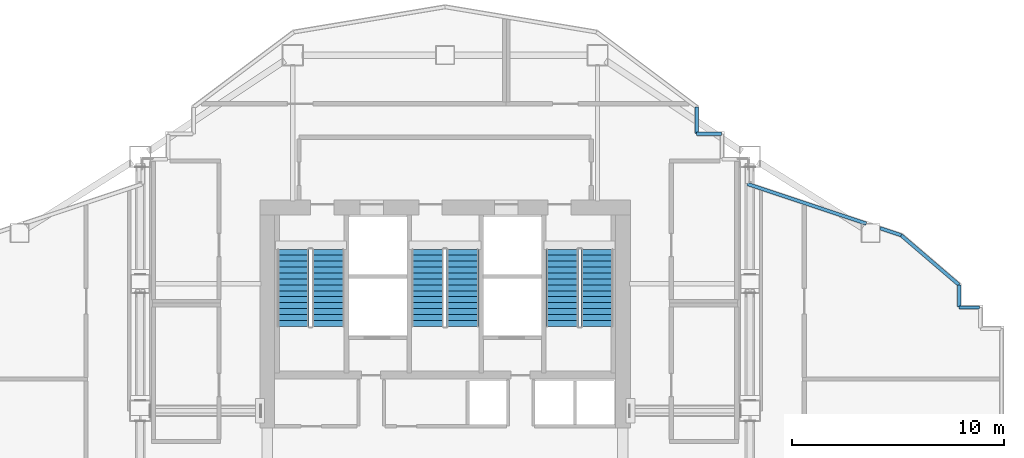
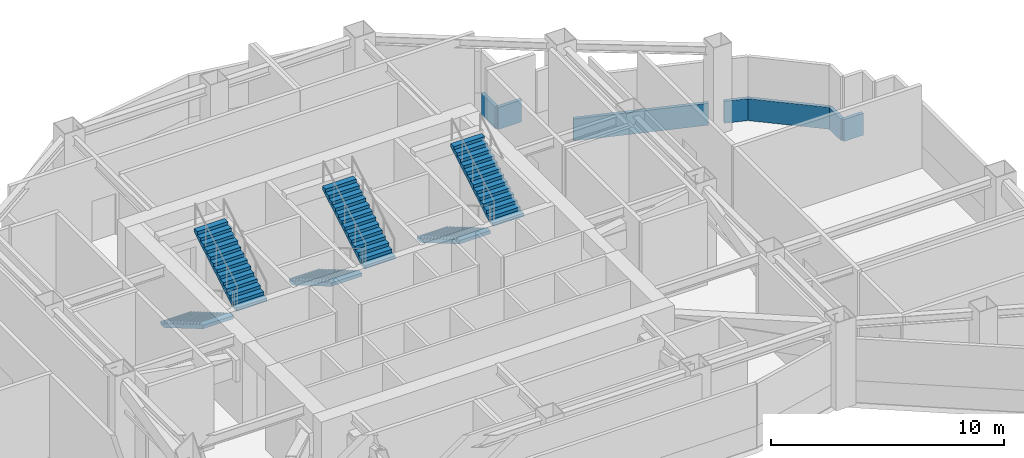
# One storey, part 17 of 24: 7 walls, 6 stair flights, 3 elements without a shape of their own.
"""IFC4 building model written with IfcOpenShell, lengths in metres."""

from ifc_helpers import new_model, si_unit, direction, frame, frame_2d, origin, place, context, subcontext, project, spatial, polyline, rectangle, outline, extrude, material, layer, layer_set, type_object, element, aggregate, save


model = new_model("IFC4")

# Units and contexts
model_context = context("Model", 3, precision=1e-05, world=origin(), true_north=direction((0.0, 1.0)))
body_context = subcontext(model_context, "Body", "Model", "MODEL_VIEW")
ifc_project = project(units=[si_unit("LENGTHUNIT", "METRE"), si_unit("AREAUNIT", "SQUARE_METRE"), si_unit("VOLUMEUNIT", "CUBIC_METRE"), si_unit("PLANEANGLEUNIT", "RADIAN"), si_unit("MASSUNIT", "GRAM", prefix="KILO")], contexts=[model_context])

# Site, building, storey
site_placement = place(None, origin())
site = spatial("IfcSite", under=ifc_project, at=site_placement, CompositionType="ELEMENT")
building_placement = place(site_placement, origin())
building = spatial("IfcBuilding", under=site, at=building_placement, Name="Haolan Belvedere Tower", CompositionType="ELEMENT")
storey_placement = place(building_placement, frame((0.0, 0.0, 160.0)))
storey = spatial("IfcBuildingStorey", under=building, at=storey_placement, Name="L40", CompositionType="ELEMENT", Elevation=160.0)

# Walls
ifc_material_1 = material(Name="Precast concrete C40/50", Category="concrete")
ifc_layer = layer(ifc_material_1, 0.159912109375, Name="Precast concrete C40/50")
ifc_layer_set = layer_set([ifc_layer], Name="Precast concrete C40/50")
wall_type = type_object("IfcWallType", Name="WL-PAR-160", PredefinedType="PARAPET", material=ifc_layer_set)
wall_1_placement = place(storey_placement, frame((63.64990234375, 38.47998046875, 0.0), z_axis=(0.0, 0.0, 1.0), x_axis=(-1.0, 0.0, 0.0)))
element("IfcWall", 1, at=wall_1_placement, inside=storey, type_object=wall_type, Name="L40 refuge open-band parapet 17.1", PredefinedType="PARAPET", context=body_context, shape_type="SweptSolid", body=[
    extrude(rectangle(XDim=0.969970703125, YDim=0.159912109375, at=frame_2d((0.48486328125, 0.0))), origin(), (0.0, 0.0, 1.0), 1.14990234375),
])
wall_2_placement = place(storey_placement, frame((62.679931640625, 38.510009765625, 0.0), z_axis=(0.0, 0.0, 1.0), x_axis=(0.0, 1.0, 0.0)))
element("IfcWall", 2, at=wall_2_placement, inside=storey, type_object=wall_type, Name="L40 refuge open-band parapet 18.1", PredefinedType="PARAPET", context=body_context, shape_type="SweptSolid", body=[
    extrude(rectangle(XDim=1.034912109375, YDim=0.159912109375, at=frame_2d((0.517578125, 0.0))), origin(), (0.0, 0.0, 1.0), 1.14990234375),
])
wall_3_placement = place(storey_placement, frame((62.679931640625, 39.544921875, 0.0), z_axis=(0.0, 0.0, 1.0), x_axis=(-0.759275702513, 0.650769089289, 0.0)))
element("IfcWall", 3, at=wall_3_placement, inside=storey, type_object=wall_type, Name="L40 refuge open-band parapet 19.1", PredefinedType="PARAPET", context=body_context, shape_type="SweptSolid", body=[
    extrude(rectangle(XDim=3.609130859375, YDim=0.159912109375, at=frame_2d((1.8046875, 0.0))), origin(), (0.0, 0.0, 1.0), 1.14990234375),
])
wall_4_placement = place(storey_placement, frame((59.939697265625, 41.8935546875, 0.0), z_axis=(0.0, 0.0, 1.0), x_axis=(-0.948636865667, 0.316367029093, 0.0)))
element("IfcWall", 4, at=wall_4_placement, inside=storey, type_object=wall_type, Name="L40 refuge open-band parapet 20.1", PredefinedType="PARAPET", context=body_context, shape_type="SweptSolid", body=[
    extrude(rectangle(XDim=1.0517578125, YDim=0.159912109375, at=frame_2d((0.52587890625, 0.0))), origin(), (0.0, 0.0, 1.0), 1.14990234375),
])
wall_5_placement = place(storey_placement, frame((58.294677734375, 42.44189453125, 0.0), z_axis=(0.0, 0.0, 1.0), x_axis=(-0.948683298051, 0.316227766017, 0.0)))
element("IfcWall", 5, at=wall_5_placement, inside=storey, type_object=wall_type, Name="L40 refuge open-band parapet 20.2", PredefinedType="PARAPET", context=body_context, shape_type="SweptSolid", body=[
    extrude(rectangle(XDim=5.91845703125, YDim=0.159912109375, at=frame_2d((2.959228515625, 0.0))), origin(), (0.0, 0.0, 1.0), 1.14990234375),
])
wall_6_placement = place(storey_placement, frame((51.449951171875, 46.679931640625, 0.0), z_axis=(0.0, 0.0, 1.0), x_axis=(-1.0, 0.0, 0.0)))
element("IfcWall", 6, at=wall_6_placement, inside=storey, type_object=wall_type, Name="L40 refuge open-band parapet 24.1", PredefinedType="PARAPET", context=body_context, shape_type="SweptSolid", body=[
    extrude(rectangle(XDim=1.169921875, YDim=0.159912109375, at=frame_2d((0.5849609375, 0.0))), origin(), (0.0, 0.0, 1.0), 1.14990234375),
])
wall_7_placement = place(storey_placement, frame((50.280029296875, 46.7099609375, 0.0), z_axis=(0.0, 0.0, 1.0), x_axis=(0.0, 1.0, 0.0)))
element("IfcWall", 7, at=wall_7_placement, inside=storey, type_object=wall_type, Name="L40 refuge open-band parapet 25.1", PredefinedType="PARAPET", context=body_context, shape_type="SweptSolid", body=[
    extrude(rectangle(XDim=1.22998046875, YDim=0.159912109375, at=frame_2d((0.614990234375, 0.0))), origin(), (0.0, 0.0, 1.0), 1.14990234375),
])

# Stair, stair flights
ifc_material_2 = material(Name="Concrete C40/50", Category="concrete")
stair_type = type_object("IfcStairType", Name="STR-DL-28R-164", PredefinedType="HALF_TURN_STAIR", material=ifc_material_2)
stair_1_placement = place(storey_placement, origin())
stair_1 = element("IfcStair", 8, at=stair_1_placement, inside=storey, type_object=stair_type, Name="L40 Smokeproof Core Exit Stair ST1", PredefinedType="HALF_TURN_STAIR")
stair_flight_type = type_object("IfcStairFlightType", Name="SFL-DL-14R-164", PredefinedType="STRAIGHT", material=ifc_material_2)
stair_flight_1_placement = place(storey_placement, frame((31.2099609375, 41.22998046875, 0.0), z_axis=(0.0, 0.0, 1.0), x_axis=(0.0, -1.0, 0.0)))
stair_flight_1 = element("IfcStairFlight", 9, at=stair_flight_1_placement, type_object=stair_flight_type, Name="ST1 flight 1", NumberOfRisers=14, NumberOfTreads=13, PredefinedType="STRAIGHT", RiserHeight=0.164285714, TreadLength=0.28, context=body_context, shape_type="SweptSolid", body=[
    extrude(outline(polyline([(0.0, 0.0), (0.0, 0.164306640625), (0.280029296875, 0.164306640625), (0.280029296875, 0.32861328125), (0.56005859375, 0.32861328125), (0.56005859375, 0.492919921875), (0.840087890625, 0.492919921875), (0.840087890625, 0.6572265625), (1.1201171875, 0.6572265625), (1.1201171875, 0.821533203125), (1.39990234375, 0.821533203125), (1.39990234375, 0.985595703125), (1.679931640625, 0.985595703125), (1.679931640625, 1.14990234375), (1.9599609375, 1.14990234375), (1.9599609375, 1.314208984375), (2.239990234375, 1.314208984375), (2.239990234375, 1.478515625), (2.52001953125, 1.478515625), (2.52001953125, 1.642822265625), (2.800048828125, 1.642822265625), (2.800048828125, 1.80712890625), (3.080078125, 1.80712890625), (3.080078125, 1.971435546875), (3.360107421875, 1.971435546875), (3.360107421875, 2.1357421875), (3.639892578125, 2.1357421875), (3.639892578125, 2.300048828125), (3.639892578125, 1.9619140625), (0.296142578125, 0.0), (0.0, 0.0)])), frame((0.0, 0.760009765625, 0.0), z_axis=(0.0, -1.0, 0.0), x_axis=(1.0, 0.0, 0.0)), (0.0, 0.0, 1.0), 1.52001953125),
])
stair_flight_2_placement = place(storey_placement, frame((32.8701171875, 37.590087890625, 2.300048828125), z_axis=(0.0, 0.0, 1.0), x_axis=(0.0, 1.0, 0.0)))
stair_flight_2 = element("IfcStairFlight", 10, at=stair_flight_2_placement, type_object=stair_flight_type, Name="ST1 flight 2", NumberOfRisers=14, NumberOfTreads=13, PredefinedType="STRAIGHT", RiserHeight=0.164285714, TreadLength=0.28, context=body_context, shape_type="SweptSolid", body=[
    extrude(outline(polyline([(0.0, 0.0), (0.0, 0.164306640625), (0.280029296875, 0.164306640625), (0.280029296875, 0.32861328125), (0.56005859375, 0.32861328125), (0.56005859375, 0.492919921875), (0.840087890625, 0.492919921875), (0.840087890625, 0.6572265625), (1.1201171875, 0.6572265625), (1.1201171875, 0.821533203125), (1.39990234375, 0.821533203125), (1.39990234375, 0.985595703125), (1.679931640625, 0.985595703125), (1.679931640625, 1.14990234375), (1.9599609375, 1.14990234375), (1.9599609375, 1.314208984375), (2.239990234375, 1.314208984375), (2.239990234375, 1.478515625), (2.52001953125, 1.478515625), (2.52001953125, 1.642822265625), (2.800048828125, 1.642822265625), (2.800048828125, 1.80712890625), (3.080078125, 1.80712890625), (3.080078125, 1.971435546875), (3.360107421875, 1.971435546875), (3.360107421875, 2.1357421875), (3.639892578125, 2.1357421875), (3.639892578125, 2.300048828125), (3.639892578125, 1.9619140625), (0.296142578125, 0.0), (0.0, 0.0)])), frame((0.0, 0.760009765625, 0.0), z_axis=(0.0, -1.0, 0.0), x_axis=(1.0, 0.0, 0.0)), (0.0, 0.0, 1.0), 1.52001953125),
])
aggregate(stair_1, [stair_flight_1, stair_flight_2])

stair_2_placement = place(storey_placement, origin())
stair_2 = element("IfcStair", 11, at=stair_2_placement, inside=storey, type_object=stair_type, Name="L40 Smokeproof Core Exit Stair ST3", PredefinedType="HALF_TURN_STAIR")
stair_flight_3_placement = place(storey_placement, frame((37.570068359375, 41.22998046875, 0.0), z_axis=(0.0, 0.0, 1.0), x_axis=(0.0, -1.0, 0.0)))
stair_flight_3 = element("IfcStairFlight", 12, at=stair_flight_3_placement, type_object=stair_flight_type, Name="ST3 flight 1", NumberOfRisers=14, NumberOfTreads=13, PredefinedType="STRAIGHT", RiserHeight=0.164285714, TreadLength=0.28, context=body_context, shape_type="SweptSolid", body=[
    extrude(outline(polyline([(0.0, 0.0), (0.0, 0.164306640625), (0.280029296875, 0.164306640625), (0.280029296875, 0.32861328125), (0.56005859375, 0.32861328125), (0.56005859375, 0.492919921875), (0.840087890625, 0.492919921875), (0.840087890625, 0.6572265625), (1.1201171875, 0.6572265625), (1.1201171875, 0.821533203125), (1.39990234375, 0.821533203125), (1.39990234375, 0.985595703125), (1.679931640625, 0.985595703125), (1.679931640625, 1.14990234375), (1.9599609375, 1.14990234375), (1.9599609375, 1.314208984375), (2.239990234375, 1.314208984375), (2.239990234375, 1.478515625), (2.52001953125, 1.478515625), (2.52001953125, 1.642822265625), (2.800048828125, 1.642822265625), (2.800048828125, 1.80712890625), (3.080078125, 1.80712890625), (3.080078125, 1.971435546875), (3.360107421875, 1.971435546875), (3.360107421875, 2.1357421875), (3.639892578125, 2.1357421875), (3.639892578125, 2.300048828125), (3.639892578125, 1.9619140625), (0.296142578125, 0.0), (0.0, 0.0)])), frame((0.0, 0.760009765625, 0.0), z_axis=(0.0, -1.0, 0.0), x_axis=(1.0, 0.0, 0.0)), (0.0, 0.0, 1.0), 1.52001953125),
])
stair_flight_4_placement = place(storey_placement, frame((39.22998046875, 37.590087890625, 2.300048828125), z_axis=(0.0, 0.0, 1.0), x_axis=(0.0, 1.0, 0.0)))
stair_flight_4 = element("IfcStairFlight", 13, at=stair_flight_4_placement, type_object=stair_flight_type, Name="ST3 flight 2", NumberOfRisers=14, NumberOfTreads=13, PredefinedType="STRAIGHT", RiserHeight=0.164285714, TreadLength=0.28, context=body_context, shape_type="SweptSolid", body=[
    extrude(outline(polyline([(0.0, 0.0), (0.0, 0.164306640625), (0.280029296875, 0.164306640625), (0.280029296875, 0.32861328125), (0.56005859375, 0.32861328125), (0.56005859375, 0.492919921875), (0.840087890625, 0.492919921875), (0.840087890625, 0.6572265625), (1.1201171875, 0.6572265625), (1.1201171875, 0.821533203125), (1.39990234375, 0.821533203125), (1.39990234375, 0.985595703125), (1.679931640625, 0.985595703125), (1.679931640625, 1.14990234375), (1.9599609375, 1.14990234375), (1.9599609375, 1.314208984375), (2.239990234375, 1.314208984375), (2.239990234375, 1.478515625), (2.52001953125, 1.478515625), (2.52001953125, 1.642822265625), (2.800048828125, 1.642822265625), (2.800048828125, 1.80712890625), (3.080078125, 1.80712890625), (3.080078125, 1.971435546875), (3.360107421875, 1.971435546875), (3.360107421875, 2.1357421875), (3.639892578125, 2.1357421875), (3.639892578125, 2.300048828125), (3.639892578125, 1.9619140625), (0.296142578125, 0.0), (0.0, 0.0)])), frame((0.0, 0.760009765625, 0.0), z_axis=(0.0, -1.0, 0.0), x_axis=(1.0, 0.0, 0.0)), (0.0, 0.0, 1.0), 1.52001953125),
])
aggregate(stair_2, [stair_flight_3, stair_flight_4])

stair_3_placement = place(storey_placement, origin())
stair_3 = element("IfcStair", 14, at=stair_3_placement, inside=storey, type_object=stair_type, Name="L40 Smokeproof Core Exit Stair ST2", PredefinedType="HALF_TURN_STAIR")
stair_flight_5_placement = place(storey_placement, frame((43.929931640625, 41.22998046875, 0.0), z_axis=(0.0, 0.0, 1.0), x_axis=(0.0, -1.0, 0.0)))
stair_flight_5 = element("IfcStairFlight", 15, at=stair_flight_5_placement, type_object=stair_flight_type, Name="ST2 flight 1", NumberOfRisers=14, NumberOfTreads=13, PredefinedType="STRAIGHT", RiserHeight=0.164285714, TreadLength=0.28, context=body_context, shape_type="SweptSolid", body=[
    extrude(outline(polyline([(0.0, 0.0), (0.0, 0.164306640625), (0.280029296875, 0.164306640625), (0.280029296875, 0.32861328125), (0.56005859375, 0.32861328125), (0.56005859375, 0.492919921875), (0.840087890625, 0.492919921875), (0.840087890625, 0.6572265625), (1.1201171875, 0.6572265625), (1.1201171875, 0.821533203125), (1.39990234375, 0.821533203125), (1.39990234375, 0.985595703125), (1.679931640625, 0.985595703125), (1.679931640625, 1.14990234375), (1.9599609375, 1.14990234375), (1.9599609375, 1.314208984375), (2.239990234375, 1.314208984375), (2.239990234375, 1.478515625), (2.52001953125, 1.478515625), (2.52001953125, 1.642822265625), (2.800048828125, 1.642822265625), (2.800048828125, 1.80712890625), (3.080078125, 1.80712890625), (3.080078125, 1.971435546875), (3.360107421875, 1.971435546875), (3.360107421875, 2.1357421875), (3.639892578125, 2.1357421875), (3.639892578125, 2.300048828125), (3.639892578125, 1.9619140625), (0.296142578125, 0.0), (0.0, 0.0)])), frame((0.0, 0.760009765625, 0.0), z_axis=(0.0, -1.0, 0.0), x_axis=(1.0, 0.0, 0.0)), (0.0, 0.0, 1.0), 1.52001953125),
])
stair_flight_6_placement = place(storey_placement, frame((45.590087890625, 37.590087890625, 2.300048828125), z_axis=(0.0, 0.0, 1.0), x_axis=(0.0, 1.0, 0.0)))
stair_flight_6 = element("IfcStairFlight", 16, at=stair_flight_6_placement, type_object=stair_flight_type, Name="ST2 flight 2", NumberOfRisers=14, NumberOfTreads=13, PredefinedType="STRAIGHT", RiserHeight=0.164285714, TreadLength=0.28, context=body_context, shape_type="SweptSolid", body=[
    extrude(outline(polyline([(0.0, 0.0), (0.0, 0.164306640625), (0.280029296875, 0.164306640625), (0.280029296875, 0.32861328125), (0.56005859375, 0.32861328125), (0.56005859375, 0.492919921875), (0.840087890625, 0.492919921875), (0.840087890625, 0.6572265625), (1.1201171875, 0.6572265625), (1.1201171875, 0.821533203125), (1.39990234375, 0.821533203125), (1.39990234375, 0.985595703125), (1.679931640625, 0.985595703125), (1.679931640625, 1.14990234375), (1.9599609375, 1.14990234375), (1.9599609375, 1.314208984375), (2.239990234375, 1.314208984375), (2.239990234375, 1.478515625), (2.52001953125, 1.478515625), (2.52001953125, 1.642822265625), (2.800048828125, 1.642822265625), (2.800048828125, 1.80712890625), (3.080078125, 1.80712890625), (3.080078125, 1.971435546875), (3.360107421875, 1.971435546875), (3.360107421875, 2.1357421875), (3.639892578125, 2.1357421875), (3.639892578125, 2.300048828125), (3.639892578125, 1.9619140625), (0.296142578125, 0.0), (0.0, 0.0)])), frame((0.0, 0.760009765625, 0.0), z_axis=(0.0, -1.0, 0.0), x_axis=(1.0, 0.0, 0.0)), (0.0, 0.0, 1.0), 1.52001953125),
])
aggregate(stair_3, [stair_flight_5, stair_flight_6])

save(model, "model.ifc")
